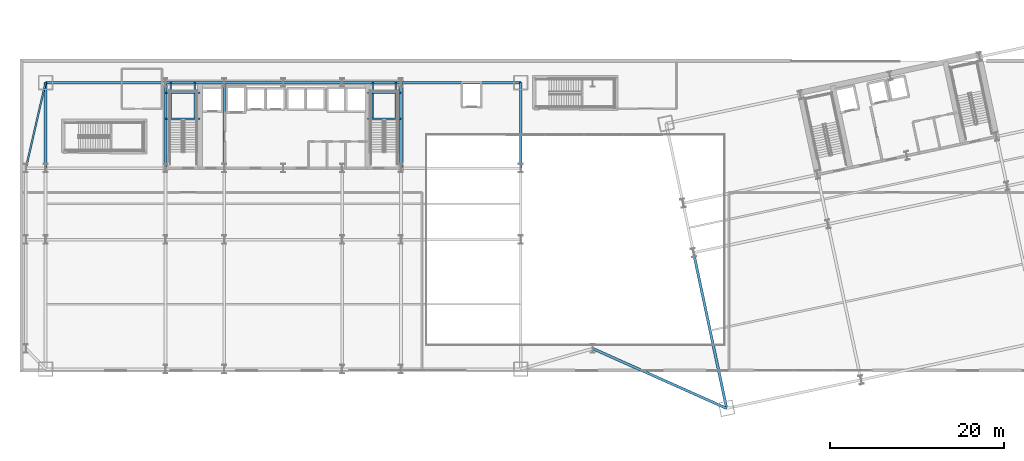
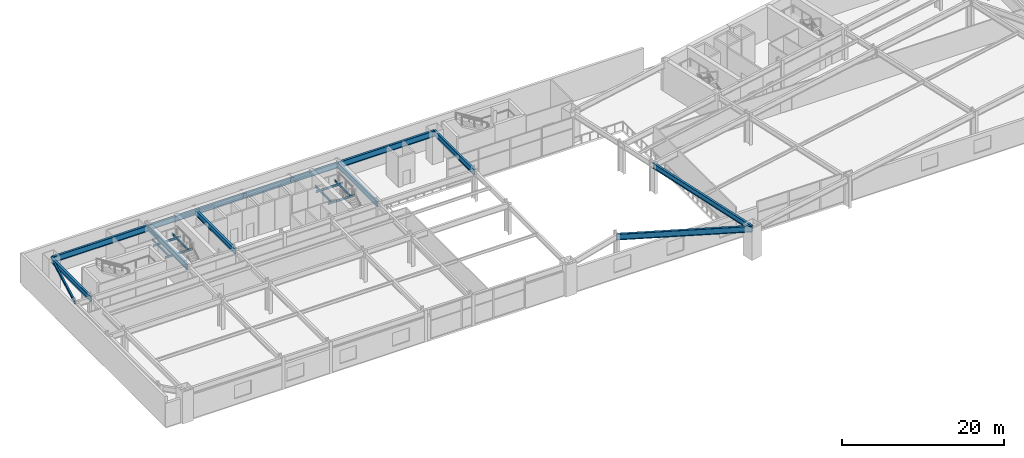
# One storey, part 9 of 30: 22 beams.
"""IFC4 building model written with IfcOpenShell, lengths in metres."""

from ifc_helpers import new_model, si_unit, direction, frame, origin, origin_2d, place, context, subcontext, project, spatial, i_section, extrude, material, material_profile, profile_set, type_object, element, save


model = new_model("IFC4")

# Units and contexts
model_context = context("Model", 3, precision=1e-05, world=origin(), true_north=direction((0.0, 1.0)))
body_context = subcontext(model_context, "Body", "Model", "MODEL_VIEW")
ifc_project = project(units=[si_unit("LENGTHUNIT", "METRE"), si_unit("AREAUNIT", "SQUARE_METRE"), si_unit("VOLUMEUNIT", "CUBIC_METRE"), si_unit("PLANEANGLEUNIT", "RADIAN"), si_unit("MASSUNIT", "GRAM", prefix="KILO")], contexts=[model_context])

# Site, building, storey
site_placement = place(None, origin())
site = spatial("IfcSite", under=ifc_project, at=site_placement, CompositionType="ELEMENT")
building_placement = place(site_placement, origin())
building = spatial("IfcBuilding", under=site, at=building_placement, Name="Haevon Station Towers", CompositionType="ELEMENT")
storey_placement = place(building_placement, frame((0.0, 0.0, 15.60009765625)))
storey = spatial("IfcBuildingStorey", under=building, at=storey_placement, Name="L03", CompositionType="ELEMENT", Elevation=15.60009765625)

# Beams
ifc_material = material(Name="Steel S355", Category="steel")
ifc_material_profile_1 = material_profile(ifc_material, i_section(OverallWidth=0.199951171875, OverallDepth=0.39990234375, WebThickness=0.008056640625, FlangeThickness=0.012939453125, at=origin_2d()), Name="H-400x200x8x13")
ifc_profile_set_1 = profile_set([ifc_material_profile_1], Name="Steel S355")
beam_type_1 = type_object("IfcBeamType", Name="BM-CANT400", PredefinedType="JOIST", material=ifc_profile_set_1)
beam_1_placement = place(storey_placement, frame((8.0, 38.199951171875, 4.2998046875), z_axis=(0.223768790916, 0.974642256529, 0.0), x_axis=(-0.974642256529, 0.223768790916, 0.0)))
element("IfcBeam", 1, at=beam_1_placement, inside=storey, type_object=beam_type_1, Name="BM-PODTERR-L03", PredefinedType="JOIST", context=body_context, shape_type="SweptSolid", body=[
    extrude(i_section(OverallWidth=0.199951171875, OverallDepth=0.39990234375, WebThickness=0.008056640625, FlangeThickness=0.012939453125, at=origin_2d()), origin(), (0.0, 0.0, 1.0), 10.054931640625),
])
ifc_material_profile_2 = material_profile(ifc_material, i_section(OverallWidth=0.14990234375, OverallDepth=0.300048828125, WebThickness=0.006591796875, FlangeThickness=0.009033203125, at=origin_2d()), Name="H-300x150x6.5x9")
ifc_profile_set_2 = profile_set([ifc_material_profile_2], Name="Steel S355")
beam_type_2 = type_object("IfcBeamType", Name="BM-LIN300", PredefinedType="LINTEL", material=ifc_profile_set_2)
for number, where, z_axis, x_axis, name in (
    (2, (24.0, 43.864013671875, 2.0498046875), (1.0, 0.0, 0.0), (0.0, 1.0, 0.0), "BM-ST1L-L03-1-S"),
    (3, (24.0, 46.820068359375, 2.0498046875), (1.0, 0.0, 0.0), (0.0, 1.0, 0.0), "BM-ST1L-L03-1-N"),
):
    element("IfcBeam", number, at=place(storey_placement, frame(where, z_axis=z_axis, x_axis=x_axis)), inside=storey, type_object=beam_type_2, Name=name, PredefinedType="LINTEL", context=body_context, shape_type="SweptSolid", body=[
        extrude(i_section(OverallWidth=0.14990234375, OverallDepth=0.300048828125, WebThickness=0.006591796875, FlangeThickness=0.009033203125, at=origin_2d()), origin(), (0.0, 0.0, 1.0), 3.949951171875),
    ])
for number, where, z_axis, x_axis, name in (
    (4, (24.60009765625, 43.864013671875, 2.0498046875), (0.0, 1.0, 0.0), (-1.0, 0.0, 0.0), "BM-ST1L-L03-1-W"),
    (5, (27.35009765625, 43.864013671875, 2.0498046875), (0.0, 1.0, 0.0), (-1.0, 0.0, 0.0), "BM-ST1L-L03-1-E"),
):
    element("IfcBeam", number, at=place(storey_placement, frame(where, z_axis=z_axis, x_axis=x_axis)), inside=storey, type_object=beam_type_2, Name=name, PredefinedType="LINTEL", context=body_context, shape_type="SweptSolid", body=[
        extrude(i_section(OverallWidth=0.14990234375, OverallDepth=0.300048828125, WebThickness=0.006591796875, FlangeThickness=0.009033203125, at=origin_2d()), origin(), (0.0, 0.0, 1.0), 4.135986328125),
    ])
for number, where, z_axis, x_axis, name in (
    (6, (47.14990234375, 43.864013671875, 2.0498046875), (1.0, 0.0, 0.0), (0.0, 1.0, 0.0), "BM-ST2L-L03-1-S"),
    (7, (47.14990234375, 46.820068359375, 2.0498046875), (1.0, 0.0, 0.0), (0.0, 1.0, 0.0), "BM-ST2L-L03-1-N"),
):
    element("IfcBeam", number, at=place(storey_placement, frame(where, z_axis=z_axis, x_axis=x_axis)), inside=storey, type_object=beam_type_2, Name=name, PredefinedType="LINTEL", context=body_context, shape_type="SweptSolid", body=[
        extrude(i_section(OverallWidth=0.14990234375, OverallDepth=0.300048828125, WebThickness=0.006591796875, FlangeThickness=0.009033203125, at=origin_2d()), origin(), (0.0, 0.0, 1.0), 3.85009765625),
    ])
for number, where, z_axis, x_axis, name in (
    (8, (47.75, 43.864013671875, 2.0498046875), (0.0, 1.0, 0.0), (-1.0, 0.0, 0.0), "BM-ST2L-L03-1-W"),
    (9, (50.39990234375, 43.864013671875, 2.0498046875), (0.0, 1.0, 0.0), (-1.0, 0.0, 0.0), "BM-ST2L-L03-1-E"),
):
    element("IfcBeam", number, at=place(storey_placement, frame(where, z_axis=z_axis, x_axis=x_axis)), inside=storey, type_object=beam_type_2, Name=name, PredefinedType="LINTEL", context=body_context, shape_type="SweptSolid", body=[
        extrude(i_section(OverallWidth=0.14990234375, OverallDepth=0.300048828125, WebThickness=0.006591796875, FlangeThickness=0.009033203125, at=origin_2d()), origin(), (0.0, 0.0, 1.0), 4.135986328125),
    ])
ifc_material_profile_3 = material_profile(ifc_material, i_section(OverallWidth=0.300048828125, OverallDepth=0.800048828125, WebThickness=0.013916015625, FlangeThickness=0.02587890625, at=origin_2d()), Name="H-800x300x14x26")
ifc_profile_set_3 = profile_set([ifc_material_profile_3], Name="Steel S355")
beam_type_3 = type_object("IfcBeamType", Name="BM-PG800", PredefinedType="BEAM", material=ifc_profile_set_3)
for number, where, z_axis, x_axis, name in (
    (10, (24.0, 48.0, 4.099853515625), (1.0, 0.0, 0.0), (0.0, 1.0, 0.0), "BM-T1X-L03-04-02"),
    (11, (30.75, 48.0, 4.099853515625), (1.0, 0.0, 0.0), (0.0, 1.0, 0.0), "BM-T1X-L03-04-03"),
    (12, (37.5, 48.0, 4.099853515625), (1.0, 0.0, 0.0), (0.0, 1.0, 0.0), "BM-T1X-L03-04-04"),
    (13, (44.25, 48.0, 4.099853515625), (1.0, 0.0, 0.0), (0.0, 1.0, 0.0), "BM-T1X-L03-04-05"),
):
    element("IfcBeam", number, at=place(storey_placement, frame(where, z_axis=z_axis, x_axis=x_axis)), inside=storey, type_object=beam_type_3, Name=name, PredefinedType="BEAM", context=body_context, shape_type="SweptSolid", body=[
        extrude(i_section(OverallWidth=0.300048828125, OverallDepth=0.800048828125, WebThickness=0.013916015625, FlangeThickness=0.02587890625, at=origin_2d()), origin(), (0.0, 0.0, 1.0), 6.75),
    ])
for number, where, z_axis, x_axis, name in (
    (14, (10.25, 38.199951171875, 4.099853515625), (0.0, 1.0, 0.0), (-1.0, 0.0, 0.0), "BM-T1Y-L03-01-03"),
    (15, (24.0, 38.199951171875, 4.099853515625), (0.0, 1.0, 0.0), (-1.0, 0.0, 0.0), "BM-T1Y-L03-02-03"),
    (16, (30.75, 38.199951171875, 4.099853515625), (0.0, 1.0, 0.0), (-1.0, 0.0, 0.0), "BM-T1Y-L03-03-03"),
    (17, (51.0, 38.199951171875, 4.099853515625), (0.0, 1.0, 0.0), (-1.0, 0.0, 0.0), "BM-T1Y-L03-06-03"),
    (18, (64.75, 38.199951171875, 4.099853515625), (0.0, 1.0, 0.0), (-1.0, 0.0, 0.0), "BM-T1Y-L03-07-03"),
):
    element("IfcBeam", number, at=place(storey_placement, frame(where, z_axis=z_axis, x_axis=x_axis)), inside=storey, type_object=beam_type_3, Name=name, PredefinedType="BEAM", context=body_context, shape_type="SweptSolid", body=[
        extrude(i_section(OverallWidth=0.300048828125, OverallDepth=0.800048828125, WebThickness=0.013916015625, FlangeThickness=0.02587890625, at=origin_2d()), origin(), (0.0, 0.0, 1.0), 9.800048828125),
    ])
beam_2_placement = place(storey_placement, frame((88.346923828125, 10.643310546875, 4.099853515625), z_axis=(-0.207912673377, 0.978147391884, 0.0), x_axis=(-0.978147391884, -0.207912673377, 0.0)))
element("IfcBeam", 19, at=beam_2_placement, inside=storey, type_object=beam_type_3, Name="BM-T2V-L03-01-01", PredefinedType="BEAM", context=body_context, shape_type="SweptSolid", body=[
    extrude(i_section(OverallWidth=0.300048828125, OverallDepth=0.800048828125, WebThickness=0.013916015625, FlangeThickness=0.02587890625, at=origin_2d()), origin(), (0.0, 0.0, 1.0), 18.250244140625),
])
ifc_material_profile_4 = material_profile(ifc_material, i_section(OverallWidth=0.300048828125, OverallDepth=0.89990234375, WebThickness=0.01611328125, FlangeThickness=0.028076171875, at=origin_2d()), Name="H-900x300x16x28")
ifc_profile_set_4 = profile_set([ifc_material_profile_4], Name="Steel S355")
beam_type_4 = type_object("IfcBeamType", Name="BM-PG900", PredefinedType="BEAM", material=ifc_profile_set_4)
for number, where, z_axis, x_axis, name in (
    (20, (10.25, 48.0, 4.0498046875), (1.0, 0.0, 0.0), (0.0, 1.0, 0.0), "BM-T1X-L03-04-01"),
    (21, (51.0, 48.0, 4.0498046875), (1.0, 0.0, 0.0), (0.0, 1.0, 0.0), "BM-T1X-L03-04-06"),
):
    element("IfcBeam", number, at=place(storey_placement, frame(where, z_axis=z_axis, x_axis=x_axis)), inside=storey, type_object=beam_type_4, Name=name, PredefinedType="BEAM", context=body_context, shape_type="SweptSolid", body=[
        extrude(i_section(OverallWidth=0.300048828125, OverallDepth=0.89990234375, WebThickness=0.01611328125, FlangeThickness=0.028076171875, at=origin_2d()), origin(), (0.0, 0.0, 1.0), 13.75),
    ])
beam_3_placement = place(storey_placement, frame((73.0, 17.5, 4.0498046875), z_axis=(0.913018608866, -0.407917908242, 0.0), x_axis=(0.407917908242, 0.913018608866, 0.0)))
element("IfcBeam", 22, at=beam_3_placement, inside=storey, type_object=beam_type_4, Name="BM-PODLKS2-L03", PredefinedType="BEAM", context=body_context, shape_type="SweptSolid", body=[
    extrude(i_section(OverallWidth=0.300048828125, OverallDepth=0.89990234375, WebThickness=0.01611328125, FlangeThickness=0.028076171875, at=origin_2d()), origin(), (0.0, 0.0, 1.0), 16.80908203125),
])

save(model, "model.ifc")
